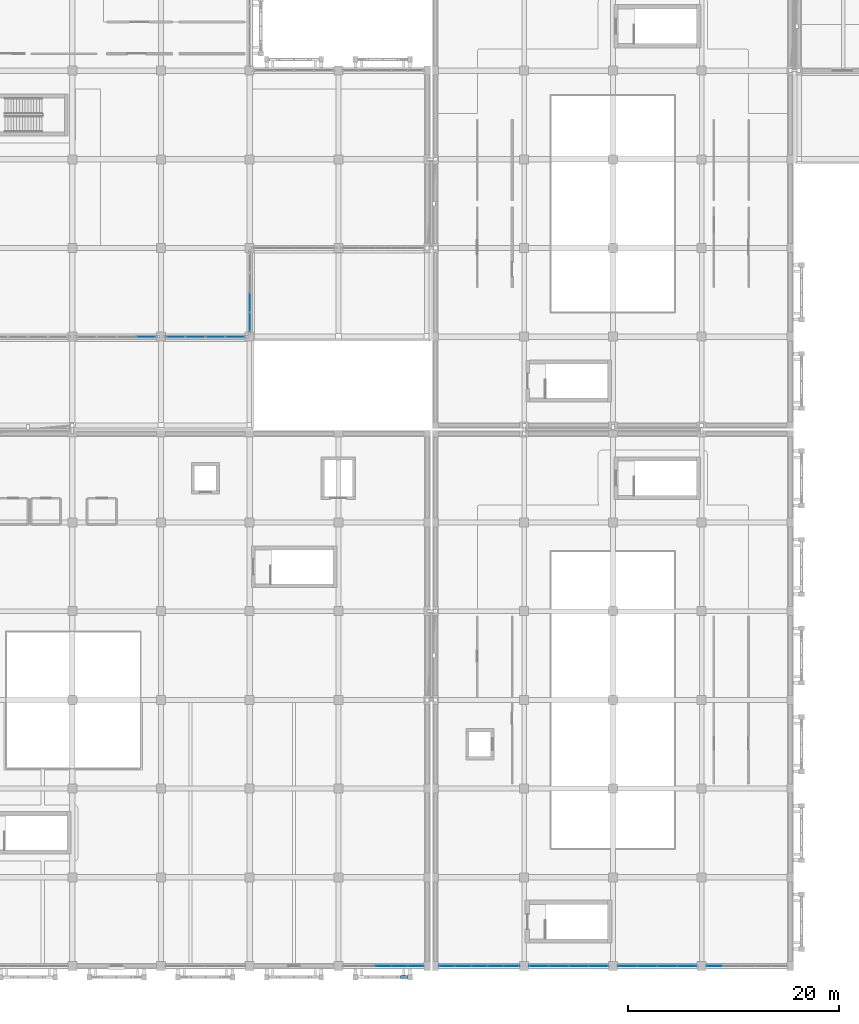
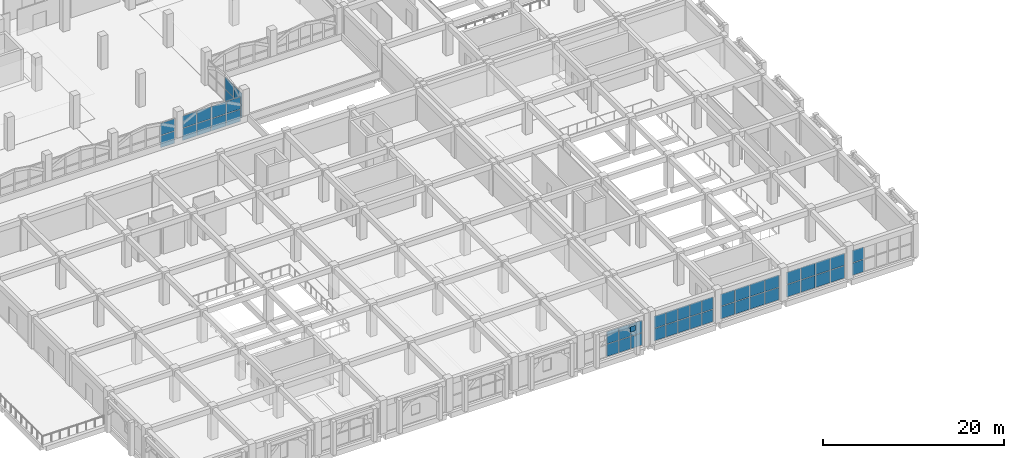
# One storey, part 88 of 129: 49 plates, 8 elements without a shape of their own.
"""IFC4 building model written with IfcOpenShell, lengths in metres."""

import ifcopenshell
import ifcopenshell.guid

model = None  # the IFC model being written
_history = None  # IfcOwnerHistory: only IFC2X3 demands one
_inside = {}  # id of a spatial element -> (the spatial element, [elements in it])
_under = {}  # id of a project, library or spatial element -> (it, [spatial elements below it])
_declared = {}  # id of a project -> (the project, [libraries it declares])
_typed = {}  # id of a type object -> (the type object, [elements of that type])
_made_of = {}  # id of a material, layer set ... -> (it, [elements and type objects made of it])


def new_model(schema):
    """Start an empty IFC model of exactly this schema.

    Asked for "IFC4X3", IfcOpenShell would pick the latest addendum, in which some entities
    have other attributes; the version numbers below select the first issue.
    IFC2X3 requires an IfcOwnerHistory on every rooted entity: one is made here for all.
    """
    global model, _history
    if schema == "IFC4X3":
        model = ifcopenshell.file(schema_version=(4, 3, 0, 0))
    else:
        model = ifcopenshell.file(schema=schema)
    _inside.clear()
    _under.clear()
    _declared.clear()
    _typed.clear()
    _made_of.clear()
    _history = None
    if model.schema == "IFC2X3":
        org = make("IfcOrganization", Name="unknown")
        user = make(
            "IfcPersonAndOrganization",
            ThePerson=make("IfcPerson", FamilyName="unknown"),
            TheOrganization=org,
        )
        app = make(
            "IfcApplication",
            ApplicationDeveloper=org,
            Version="unknown",
            ApplicationFullName="unknown",
            ApplicationIdentifier="unknown",
        )
        _history = make(
            "IfcOwnerHistory",
            OwningUser=user,
            OwningApplication=app,
            ChangeAction="ADDED",
            CreationDate=0,
        )
    return model


def make(cls, **values):
    """One entity of the class cls with the attributes given. An attribute that is None is left unset."""
    return model.create_entity(
        cls, **{name: value for name, value in values.items() if value is not None}
    )


def rooted(cls, **values):
    """An entity with a GlobalId (a new one), such as an element, a storey or a relation."""
    return make(cls, GlobalId=ifcopenshell.guid.new(), OwnerHistory=_history, **values)


def si_unit(unit_type, name, prefix=None):
    """IfcSIUnit, for example si_unit("LENGTHUNIT", "METRE", prefix="MILLI")."""
    return make("IfcSIUnit", UnitType=unit_type, Prefix=prefix, Name=name)


def assignment(units):
    """IfcUnitAssignment: the units of a project."""
    return None if units is None else make("IfcUnitAssignment", Units=units)


def point(xyz):
    """IfcCartesianPoint."""
    return None if xyz is None else make("IfcCartesianPoint", Coordinates=xyz)


def direction(xyz):
    """IfcDirection."""
    return None if xyz is None else make("IfcDirection", DirectionRatios=xyz)


def frame(location, z_axis=None, x_axis=None):
    """IfcAxis2Placement3D, a coordinate frame: its origin and axes. An axis left out is left unset."""
    return make(
        "IfcAxis2Placement3D",
        Location=point(location),
        Axis=direction(z_axis),
        RefDirection=direction(x_axis),
    )


def frame_2d(location, x_axis=None):
    """IfcAxis2Placement2D, a coordinate frame in the plane: its origin and x axis."""
    return make(
        "IfcAxis2Placement2D", Location=point(location), RefDirection=direction(x_axis)
    )


def origin():
    """The frame at (0, 0, 0) with its axes left unset."""
    return frame((0.0, 0.0, 0.0))


def origin_2d():
    """The frame at (0, 0) in the plane with its x axis left unset."""
    return frame_2d((0.0, 0.0))


def place(relative_to, where):
    """IfcLocalPlacement: puts the frame where relative to a parent placement (None: the world)."""
    return make(
        "IfcLocalPlacement", PlacementRelTo=relative_to, RelativePlacement=where
    )


def context(
    kind, dimensions, precision=None, world=None, true_north=None, identifier=None
):
    """IfcGeometricRepresentationContext, for example the 3D "Model" context."""
    return make(
        "IfcGeometricRepresentationContext",
        ContextIdentifier=identifier,
        ContextType=kind,
        CoordinateSpaceDimension=dimensions,
        Precision=precision,
        WorldCoordinateSystem=world,
        TrueNorth=true_north,
    )


def subcontext(parent, identifier, kind, view, scale=None):
    """IfcGeometricRepresentationSubContext, for example "Body" below "Model"."""
    return make(
        "IfcGeometricRepresentationSubContext",
        ContextIdentifier=identifier,
        ContextType=kind,
        ParentContext=parent,
        TargetScale=scale,
        TargetView=view,
    )


def project(units=None, contexts=None):
    """IfcProject with its units and contexts."""
    return rooted(
        "IfcProject",
        Name="project",
        RepresentationContexts=contexts,
        UnitsInContext=assignment(units),
    )


def spatial(cls, under=None, at=None, **own):
    """A site, building, storey or space (cls), placed at a placement, below another one or the project."""
    s = rooted(cls, ObjectPlacement=at, **own)
    if under is not None:
        _under.setdefault(under.id(), (under, []))[1].append(s)
    return s


def profile(cls, at=None, kind="AREA", **sizes):
    """A parametric profile (cls). Its sizes go by their IFC names, for example OverallWidth=200.0."""
    return make(cls, ProfileType=kind, Position=at, **sizes)


def rectangle(**sizes):
    """IfcRectangleProfileDef."""
    return profile("IfcRectangleProfileDef", **sizes)


def extrude(swept, where, along, depth):
    """IfcExtrudedAreaSolid: the profile swept, set in the frame where, extruded along a direction by depth."""
    return make(
        "IfcExtrudedAreaSolid",
        SweptArea=swept,
        Position=where,
        ExtrudedDirection=direction(along),
        Depth=depth,
    )


def shape(context_of_items, identifier, shape_type, items):
    """IfcShapeRepresentation: the items that make up one representation, for example the "Body"."""
    return make(
        "IfcShapeRepresentation",
        ContextOfItems=context_of_items,
        RepresentationIdentifier=identifier,
        RepresentationType=shape_type,
        Items=items,
    )


def material(Name=None, Category=None):
    """IfcMaterial."""
    return make("IfcMaterial", Name=Name, Category=Category)


def layer(
    of_material, thickness, ventilated=None, Name=None, Category=None, Priority=None
):
    """IfcMaterialLayer: one layer of a wall or slab, of a material (None: an air gap)."""
    return make(
        "IfcMaterialLayer",
        Material=of_material,
        LayerThickness=thickness,
        IsVentilated=ventilated,
        Name=Name,
        Category=Category,
        Priority=Priority,
    )


def layer_set(layers, Name=None):
    """IfcMaterialLayerSet."""
    return make("IfcMaterialLayerSet", MaterialLayers=layers, LayerSetName=Name)


def made_of(thing, what):
    """Note that an element or type object is made of a material, layer set ...; save() writes the relation."""
    if what is not None:
        _made_of.setdefault(what.id(), (what, []))[1].append(thing)
    return thing


def type_object(cls, material=None, **own):
    """A type object (cls), such as IfcWallType, which elements share."""
    return made_of(rooted(cls, **own), material)


def element(
    cls,
    number,
    at=None,
    inside=None,
    cuts=None,
    type_object=None,
    material=None,
    context=None,
    identifier="Body",
    shape_type=None,
    held_by="IfcProductDefinitionShape",
    body=None,
    shapes=None,
    **own,
):
    """One element of the class cls, such as IfcWall. Its Tag is "e" and its number.

    at: its placement. inside: the storey or other place that contains it. cuts: it is an
    opening in that element (IfcRelVoidsElement). A single representation is given by context,
    identifier, shape_type and body (its items); several are given by shapes. held_by: the class
    of the entity that holds the representations. save() writes the other relations.
    """
    e = rooted(cls, Tag="e%d" % number, ObjectPlacement=at, **own)
    if body is not None:
        shapes = [shape(context, identifier, shape_type, body)]
    if shapes is not None:
        e.Representation = make(held_by, Representations=shapes)
    if inside is not None:
        _inside.setdefault(inside.id(), (inside, []))[1].append(e)
    if cuts is not None:
        rooted(
            "IfcRelVoidsElement", RelatingBuildingElement=cuts, RelatedOpeningElement=e
        )
    if type_object is not None:
        _typed.setdefault(type_object.id(), (type_object, []))[1].append(e)
    return made_of(e, material)


def aggregate(whole, parts):
    """IfcRelAggregates: a whole, such as a stair, and the parts it consists of."""
    return rooted("IfcRelAggregates", RelatingObject=whole, RelatedObjects=parts)


def save(model, path):
    """Write the relations noted so far, then the file.

    IfcRelAggregates (storeys below a building ...), IfcRelContainedInSpatialStructure (elements
    in a storey), IfcRelDefinesByType, IfcRelAssociatesMaterial and IfcRelDeclares: one each for
    every whole, place, type object, material and project.
    """
    for whole, parts in _under.values():
        aggregate(whole, parts)
    for where, things in _inside.values():
        rooted(
            "IfcRelContainedInSpatialStructure",
            RelatedElements=things,
            RelatingStructure=where,
        )
    for kind, things in _typed.values():
        rooted("IfcRelDefinesByType", RelatedObjects=things, RelatingType=kind)
    for what, things in _made_of.values():
        rooted("IfcRelAssociatesMaterial", RelatedObjects=things, RelatingMaterial=what)
    for by, libraries in _declared.values():
        rooted("IfcRelDeclares", RelatingContext=by, RelatedDefinitions=libraries)
    model.write(path)


model = new_model("IFC4")

# Units and contexts
model_context = context("Model", 3, precision=1e-05, world=origin(), true_north=direction((0.0, 1.0)))
body_context = subcontext(model_context, "Body", "Model", "MODEL_VIEW")
ifc_project = project(units=[si_unit("LENGTHUNIT", "METRE"), si_unit("AREAUNIT", "SQUARE_METRE"), si_unit("VOLUMEUNIT", "CUBIC_METRE"), si_unit("PLANEANGLEUNIT", "RADIAN"), si_unit("MASSUNIT", "GRAM", prefix="KILO")], contexts=[model_context])

# Site, building, storey
site_placement = place(None, origin())
site = spatial("IfcSite", under=ifc_project, at=site_placement, CompositionType="ELEMENT")
building_placement = place(site_placement, origin())
building = spatial("IfcBuilding", under=site, at=building_placement, Name="Xazarin Passage Department Store", CompositionType="ELEMENT")
storey_placement = place(building_placement, frame((0.0, 0.0, 9.89990234375)))
storey = spatial("IfcBuildingStorey", under=building, at=storey_placement, Name="L02", CompositionType="ELEMENT", Elevation=9.89990234375)

# Curtain wall, plates
ifc_material_1 = material(Name="Bronze anodised aluminium", Category="aluminium")
ifc_layer_1 = layer(ifc_material_1, 0.159912109375)
ifc_layer_set_1 = layer_set([ifc_layer_1], Name="Bronze anodised aluminium")
curtain_wall_type_1 = type_object("IfcCurtainWallType", Name="ARC-CW-ARC1", PredefinedType="NOTDEFINED", material=ifc_layer_set_1)
curtain_wall_1_placement = place(storey_placement, origin())
curtain_wall_1 = element("IfcCurtainWall", 1, at=curtain_wall_1_placement, inside=storey, type_object=curtain_wall_type_1, Name="L02 V2S Curtain Wall 104", PredefinedType="NOTDEFINED")
ifc_material_2 = material(Name="Low-E laminated safety glass", Category="glass")
ifc_layer_2 = layer(ifc_material_2, 0.028076171875)
ifc_layer_set_2 = layer_set([ifc_layer_2], Name="Low-E laminated safety glass")
plate_type_1 = type_object("IfcPlateType", Name="ARC-CWP-GLZ28", PredefinedType="CURTAIN_PANEL", material=ifc_layer_set_2)
plate_1_placement = place(storey_placement, frame((69.083740234375, 0.0, 0.065185546875), z_axis=(0.0, 0.0, 1.0), x_axis=(1.0, 0.0, 0.0)))
plate_1 = element("IfcPlate", 2, at=plate_1_placement, type_object=plate_type_1, Name="CW3 panel 1.1", PredefinedType="CURTAIN_PANEL", context=body_context, shape_type="SweptSolid", body=[
    extrude(rectangle(XDim=1.4375, YDim=0.028076171875, at=origin_2d()), origin(), (0.0, 0.0, 1.0), 1.6474609375),
])
plate_2_placement = place(storey_placement, frame((69.083740234375, 0.0, 1.777587890625), z_axis=(0.0, 0.0, 1.0), x_axis=(1.0, 0.0, 0.0)))
plate_2 = element("IfcPlate", 3, at=plate_2_placement, type_object=plate_type_1, Name="CW3 panel 1.2", PredefinedType="CURTAIN_PANEL", context=body_context, shape_type="SweptSolid", body=[
    extrude(rectangle(XDim=1.4375, YDim=0.028076171875, at=origin_2d()), origin(), (0.0, 0.0, 1.0), 1.6474609375),
])
plate_3_placement = place(storey_placement, frame((70.6025390625, 0.0, 0.065185546875), z_axis=(0.0, 0.0, 1.0), x_axis=(1.0, 0.0, 0.0)))
plate_3 = element("IfcPlate", 4, at=plate_3_placement, type_object=plate_type_1, Name="CW3 panel 2.1", PredefinedType="CURTAIN_PANEL", context=body_context, shape_type="SweptSolid", body=[
    extrude(rectangle(XDim=1.469970703125, YDim=0.028076171875, at=origin_2d()), origin(), (0.0, 0.0, 1.0), 1.6474609375),
])
plate_4_placement = place(storey_placement, frame((70.6025390625, 0.0, 1.777587890625), z_axis=(0.0, 0.0, 1.0), x_axis=(1.0, 0.0, 0.0)))
plate_4 = element("IfcPlate", 5, at=plate_4_placement, type_object=plate_type_1, Name="CW3 panel 2.2", PredefinedType="CURTAIN_PANEL", context=body_context, shape_type="SweptSolid", body=[
    extrude(rectangle(XDim=1.469970703125, YDim=0.028076171875, at=origin_2d()), origin(), (0.0, 0.0, 1.0), 1.6474609375),
])
plate_5_placement = place(storey_placement, frame((72.137451171875, 0.0, 0.065185546875), z_axis=(0.0, 0.0, 1.0), x_axis=(1.0, 0.0, 0.0)))
plate_5 = element("IfcPlate", 6, at=plate_5_placement, type_object=plate_type_1, Name="CW3 panel 3.1", PredefinedType="CURTAIN_PANEL", context=body_context, shape_type="SweptSolid", body=[
    extrude(rectangle(XDim=1.469970703125, YDim=0.028076171875, at=origin_2d()), origin(), (0.0, 0.0, 1.0), 1.6474609375),
])
plate_6_placement = place(storey_placement, frame((72.137451171875, 0.0, 1.777587890625), z_axis=(0.0, 0.0, 1.0), x_axis=(1.0, 0.0, 0.0)))
plate_6 = element("IfcPlate", 7, at=plate_6_placement, type_object=plate_type_1, Name="CW3 panel 3.2", PredefinedType="CURTAIN_PANEL", context=body_context, shape_type="SweptSolid", body=[
    extrude(rectangle(XDim=1.469970703125, YDim=0.028076171875, at=origin_2d()), origin(), (0.0, 0.0, 1.0), 1.6474609375),
])
plate_7_placement = place(storey_placement, frame((73.672607421875, 0.0, 0.065185546875), z_axis=(0.0, 0.0, 1.0), x_axis=(1.0, 0.0, 0.0)))
plate_7 = element("IfcPlate", 8, at=plate_7_placement, type_object=plate_type_1, Name="CW3 panel 4.1", PredefinedType="CURTAIN_PANEL", context=body_context, shape_type="SweptSolid", body=[
    extrude(rectangle(XDim=1.469970703125, YDim=0.028076171875, at=origin_2d()), origin(), (0.0, 0.0, 1.0), 1.6474609375),
])
plate_8_placement = place(storey_placement, frame((73.672607421875, 0.0, 1.777587890625), z_axis=(0.0, 0.0, 1.0), x_axis=(1.0, 0.0, 0.0)))
plate_8 = element("IfcPlate", 9, at=plate_8_placement, type_object=plate_type_1, Name="CW3 panel 4.2", PredefinedType="CURTAIN_PANEL", context=body_context, shape_type="SweptSolid", body=[
    extrude(rectangle(XDim=1.469970703125, YDim=0.028076171875, at=origin_2d()), origin(), (0.0, 0.0, 1.0), 1.6474609375),
])
plate_9_placement = place(storey_placement, frame((75.191162109375, 0.0, 0.065185546875), z_axis=(0.0, 0.0, 1.0), x_axis=(1.0, 0.0, 0.0)))
plate_9 = element("IfcPlate", 10, at=plate_9_placement, type_object=plate_type_1, Name="CW3 panel 5.1", PredefinedType="CURTAIN_PANEL", context=body_context, shape_type="SweptSolid", body=[
    extrude(rectangle(XDim=1.4375, YDim=0.028076171875, at=origin_2d()), origin(), (0.0, 0.0, 1.0), 1.6474609375),
])
plate_10_placement = place(storey_placement, frame((75.191162109375, 0.0, 1.777587890625), z_axis=(0.0, 0.0, 1.0), x_axis=(1.0, 0.0, 0.0)))
plate_10 = element("IfcPlate", 11, at=plate_10_placement, type_object=plate_type_1, Name="CW3 panel 5.2", PredefinedType="CURTAIN_PANEL", context=body_context, shape_type="SweptSolid", body=[
    extrude(rectangle(XDim=1.4375, YDim=0.028076171875, at=origin_2d()), origin(), (0.0, 0.0, 1.0), 1.6474609375),
])
aggregate(curtain_wall_1, [plate_1, plate_2, plate_3, plate_4, plate_5, plate_6, plate_7, plate_8, plate_9, plate_10])

curtain_wall_2_placement = place(storey_placement, origin())
curtain_wall_2 = element("IfcCurtainWall", 12, at=curtain_wall_2_placement, inside=storey, type_object=curtain_wall_type_1, Name="L02 V2S Curtain Wall 105", PredefinedType="NOTDEFINED")
plate_11_placement = place(storey_placement, frame((77.784912109375, 0.0, 0.065185546875), z_axis=(0.0, 0.0, 1.0), x_axis=(1.0, 0.0, 0.0)))
plate_11 = element("IfcPlate", 13, at=plate_11_placement, type_object=plate_type_1, Name="CW3 panel 1.1", PredefinedType="CURTAIN_PANEL", context=body_context, shape_type="SweptSolid", body=[
    extrude(rectangle(XDim=1.7900390625, YDim=0.028076171875, at=origin_2d()), origin(), (0.0, 0.0, 1.0), 1.6474609375),
])
plate_12_placement = place(storey_placement, frame((77.784912109375, 0.0, 1.777587890625), z_axis=(0.0, 0.0, 1.0), x_axis=(1.0, 0.0, 0.0)))
plate_12 = element("IfcPlate", 14, at=plate_12_placement, type_object=plate_type_1, Name="CW3 panel 1.2", PredefinedType="CURTAIN_PANEL", context=body_context, shape_type="SweptSolid", body=[
    extrude(rectangle(XDim=1.7900390625, YDim=0.028076171875, at=origin_2d()), origin(), (0.0, 0.0, 1.0), 1.6474609375),
])
plate_13_placement = place(storey_placement, frame((79.65625, 0.0, 0.065185546875), z_axis=(0.0, 0.0, 1.0), x_axis=(1.0, 0.0, 0.0)))
plate_13 = element("IfcPlate", 15, at=plate_13_placement, type_object=plate_type_1, Name="CW3 panel 2.1", PredefinedType="CURTAIN_PANEL", context=body_context, shape_type="SweptSolid", body=[
    extrude(rectangle(XDim=1.822509765625, YDim=0.028076171875, at=origin_2d()), origin(), (0.0, 0.0, 1.0), 1.6474609375),
])
plate_14_placement = place(storey_placement, frame((79.65625, 0.0, 1.777587890625), z_axis=(0.0, 0.0, 1.0), x_axis=(1.0, 0.0, 0.0)))
plate_14 = element("IfcPlate", 16, at=plate_14_placement, type_object=plate_type_1, Name="CW3 panel 2.2", PredefinedType="CURTAIN_PANEL", context=body_context, shape_type="SweptSolid", body=[
    extrude(rectangle(XDim=1.822509765625, YDim=0.028076171875, at=origin_2d()), origin(), (0.0, 0.0, 1.0), 1.6474609375),
])
plate_15_placement = place(storey_placement, frame((81.543701171875, 0.0, 0.065185546875), z_axis=(0.0, 0.0, 1.0), x_axis=(1.0, 0.0, 0.0)))
plate_15 = element("IfcPlate", 17, at=plate_15_placement, type_object=plate_type_1, Name="CW3 panel 3.1", PredefinedType="CURTAIN_PANEL", context=body_context, shape_type="SweptSolid", body=[
    extrude(rectangle(XDim=1.822509765625, YDim=0.028076171875, at=origin_2d()), origin(), (0.0, 0.0, 1.0), 1.6474609375),
])
plate_16_placement = place(storey_placement, frame((81.543701171875, 0.0, 1.777587890625), z_axis=(0.0, 0.0, 1.0), x_axis=(1.0, 0.0, 0.0)))
plate_16 = element("IfcPlate", 18, at=plate_16_placement, type_object=plate_type_1, Name="CW3 panel 3.2", PredefinedType="CURTAIN_PANEL", context=body_context, shape_type="SweptSolid", body=[
    extrude(rectangle(XDim=1.822509765625, YDim=0.028076171875, at=origin_2d()), origin(), (0.0, 0.0, 1.0), 1.6474609375),
])
plate_17_placement = place(storey_placement, frame((83.4150390625, 0.0, 0.065185546875), z_axis=(0.0, 0.0, 1.0), x_axis=(1.0, 0.0, 0.0)))
plate_17 = element("IfcPlate", 19, at=plate_17_placement, type_object=plate_type_1, Name="CW3 panel 4.1", PredefinedType="CURTAIN_PANEL", context=body_context, shape_type="SweptSolid", body=[
    extrude(rectangle(XDim=1.7900390625, YDim=0.028076171875, at=origin_2d()), origin(), (0.0, 0.0, 1.0), 1.6474609375),
])
plate_18_placement = place(storey_placement, frame((83.4150390625, 0.0, 1.777587890625), z_axis=(0.0, 0.0, 1.0), x_axis=(1.0, 0.0, 0.0)))
plate_18 = element("IfcPlate", 20, at=plate_18_placement, type_object=plate_type_1, Name="CW3 panel 4.2", PredefinedType="CURTAIN_PANEL", context=body_context, shape_type="SweptSolid", body=[
    extrude(rectangle(XDim=1.7900390625, YDim=0.028076171875, at=origin_2d()), origin(), (0.0, 0.0, 1.0), 1.6474609375),
])
aggregate(curtain_wall_2, [plate_11, plate_12, plate_13, plate_14, plate_15, plate_16, plate_17, plate_18])

curtain_wall_3_placement = place(storey_placement, origin())
curtain_wall_3 = element("IfcCurtainWall", 21, at=curtain_wall_3_placement, inside=storey, type_object=curtain_wall_type_1, Name="L02 V2S Curtain Wall 106", PredefinedType="NOTDEFINED")
plate_19_placement = place(storey_placement, frame((86.18505859375, 0.0, 0.065185546875), z_axis=(0.0, 0.0, 1.0), x_axis=(1.0, 0.0, 0.0)))
plate_19 = element("IfcPlate", 22, at=plate_19_placement, type_object=plate_type_1, Name="CW3 panel 1.1", PredefinedType="CURTAIN_PANEL", context=body_context, shape_type="SweptSolid", body=[
    extrude(rectangle(XDim=1.7900390625, YDim=0.028076171875, at=origin_2d()), origin(), (0.0, 0.0, 1.0), 1.6474609375),
])
plate_20_placement = place(storey_placement, frame((86.18505859375, 0.0, 1.777587890625), z_axis=(0.0, 0.0, 1.0), x_axis=(1.0, 0.0, 0.0)))
plate_20 = element("IfcPlate", 23, at=plate_20_placement, type_object=plate_type_1, Name="CW3 panel 1.2", PredefinedType="CURTAIN_PANEL", context=body_context, shape_type="SweptSolid", body=[
    extrude(rectangle(XDim=1.7900390625, YDim=0.028076171875, at=origin_2d()), origin(), (0.0, 0.0, 1.0), 1.6474609375),
])
plate_21_placement = place(storey_placement, frame((88.05615234375, 0.0, 0.065185546875), z_axis=(0.0, 0.0, 1.0), x_axis=(1.0, 0.0, 0.0)))
plate_21 = element("IfcPlate", 24, at=plate_21_placement, type_object=plate_type_1, Name="CW3 panel 2.1", PredefinedType="CURTAIN_PANEL", context=body_context, shape_type="SweptSolid", body=[
    extrude(rectangle(XDim=1.822509765625, YDim=0.028076171875, at=origin_2d()), origin(), (0.0, 0.0, 1.0), 1.6474609375),
])
plate_22_placement = place(storey_placement, frame((88.05615234375, 0.0, 1.777587890625), z_axis=(0.0, 0.0, 1.0), x_axis=(1.0, 0.0, 0.0)))
plate_22 = element("IfcPlate", 25, at=plate_22_placement, type_object=plate_type_1, Name="CW3 panel 2.2", PredefinedType="CURTAIN_PANEL", context=body_context, shape_type="SweptSolid", body=[
    extrude(rectangle(XDim=1.822509765625, YDim=0.028076171875, at=origin_2d()), origin(), (0.0, 0.0, 1.0), 1.6474609375),
])
plate_23_placement = place(storey_placement, frame((89.94384765625, 0.0, 0.065185546875), z_axis=(0.0, 0.0, 1.0), x_axis=(1.0, 0.0, 0.0)))
plate_23 = element("IfcPlate", 26, at=plate_23_placement, type_object=plate_type_1, Name="CW3 panel 3.1", PredefinedType="CURTAIN_PANEL", context=body_context, shape_type="SweptSolid", body=[
    extrude(rectangle(XDim=1.822509765625, YDim=0.028076171875, at=origin_2d()), origin(), (0.0, 0.0, 1.0), 1.6474609375),
])
plate_24_placement = place(storey_placement, frame((89.94384765625, 0.0, 1.777587890625), z_axis=(0.0, 0.0, 1.0), x_axis=(1.0, 0.0, 0.0)))
plate_24 = element("IfcPlate", 27, at=plate_24_placement, type_object=plate_type_1, Name="CW3 panel 3.2", PredefinedType="CURTAIN_PANEL", context=body_context, shape_type="SweptSolid", body=[
    extrude(rectangle(XDim=1.822509765625, YDim=0.028076171875, at=origin_2d()), origin(), (0.0, 0.0, 1.0), 1.6474609375),
])
plate_25_placement = place(storey_placement, frame((91.81494140625, 0.0, 0.065185546875), z_axis=(0.0, 0.0, 1.0), x_axis=(1.0, 0.0, 0.0)))
plate_25 = element("IfcPlate", 28, at=plate_25_placement, type_object=plate_type_1, Name="CW3 panel 4.1", PredefinedType="CURTAIN_PANEL", context=body_context, shape_type="SweptSolid", body=[
    extrude(rectangle(XDim=1.7900390625, YDim=0.028076171875, at=origin_2d()), origin(), (0.0, 0.0, 1.0), 1.6474609375),
])
plate_26_placement = place(storey_placement, frame((91.81494140625, 0.0, 1.777587890625), z_axis=(0.0, 0.0, 1.0), x_axis=(1.0, 0.0, 0.0)))
plate_26 = element("IfcPlate", 29, at=plate_26_placement, type_object=plate_type_1, Name="CW3 panel 4.2", PredefinedType="CURTAIN_PANEL", context=body_context, shape_type="SweptSolid", body=[
    extrude(rectangle(XDim=1.7900390625, YDim=0.028076171875, at=origin_2d()), origin(), (0.0, 0.0, 1.0), 1.6474609375),
])
aggregate(curtain_wall_3, [plate_19, plate_20, plate_21, plate_22, plate_23, plate_24, plate_25, plate_26])

curtain_wall_4_placement = place(storey_placement, origin())
curtain_wall_4 = element("IfcCurtainWall", 30, at=curtain_wall_4_placement, inside=storey, type_object=curtain_wall_type_1, Name="L02 V2S Curtain Wall 107", PredefinedType="NOTDEFINED")
plate_27_placement = place(storey_placement, frame((94.40869140625, 0.0, 0.065185546875), z_axis=(0.0, 0.0, 1.0), x_axis=(1.0, 0.0, 0.0)))
plate_27 = element("IfcPlate", 31, at=plate_27_placement, type_object=plate_type_1, Name="CW3 panel 1.1", PredefinedType="CURTAIN_PANEL", context=body_context, shape_type="SweptSolid", body=[
    extrude(rectangle(XDim=1.4375, YDim=0.028076171875, at=origin_2d()), origin(), (0.0, 0.0, 1.0), 1.6474609375),
])
plate_28_placement = place(storey_placement, frame((94.40869140625, 0.0, 1.777587890625), z_axis=(0.0, 0.0, 1.0), x_axis=(1.0, 0.0, 0.0)))
plate_28 = element("IfcPlate", 32, at=plate_28_placement, type_object=plate_type_1, Name="CW3 panel 1.2", PredefinedType="CURTAIN_PANEL", context=body_context, shape_type="SweptSolid", body=[
    extrude(rectangle(XDim=1.4375, YDim=0.028076171875, at=origin_2d()), origin(), (0.0, 0.0, 1.0), 1.6474609375),
])
aggregate(curtain_wall_4, [plate_27, plate_28])

ifc_layer_3 = layer(ifc_material_1, 0.18994140625)
ifc_layer_set_3 = layer_set([ifc_layer_3], Name="Bronze anodised aluminium")
curtain_wall_type_2 = type_object("IfcCurtainWallType", Name="ARC-CW-FDH1", PredefinedType="NOTDEFINED", material=ifc_layer_set_3)
curtain_wall_5_placement = place(storey_placement, origin())
curtain_wall_5 = element("IfcCurtainWall", 33, at=curtain_wall_5_placement, inside=storey, type_object=curtain_wall_type_2, Name="L02 V3 Curtain Wall 133", PredefinedType="NOTDEFINED")
plate_29_placement = place(storey_placement, frame((63.0625, 0.0, 0.065185546875), z_axis=(0.0, 0.0, 1.0), x_axis=(1.0, 0.0, 0.0)))
plate_29 = element("IfcPlate", 34, at=plate_29_placement, type_object=plate_type_1, Name="CW5 panel 3.1", PredefinedType="CURTAIN_PANEL", context=body_context, shape_type="SweptSolid", body=[
    extrude(rectangle(XDim=1.469970703125, YDim=0.028076171875, at=origin_2d()), origin(), (0.0, 0.0, 1.0), 1.6474609375),
])
plate_30_placement = place(storey_placement, frame((63.0625, 0.0, 1.777587890625), z_axis=(0.0, 0.0, 1.0), x_axis=(1.0, 0.0, 0.0)))
plate_30 = element("IfcPlate", 35, at=plate_30_placement, type_object=plate_type_1, Name="CW5 panel 3.2", PredefinedType="CURTAIN_PANEL", context=body_context, shape_type="SweptSolid", body=[
    extrude(rectangle(XDim=1.469970703125, YDim=0.028076171875, at=origin_2d()), origin(), (0.0, 0.0, 1.0), 1.6474609375),
])
plate_31_placement = place(storey_placement, frame((64.597412109375, 0.0, 0.065185546875), z_axis=(0.0, 0.0, 1.0), x_axis=(1.0, 0.0, 0.0)))
plate_31 = element("IfcPlate", 36, at=plate_31_placement, type_object=plate_type_1, Name="CW5 panel 4.1", PredefinedType="CURTAIN_PANEL", context=body_context, shape_type="SweptSolid", body=[
    extrude(rectangle(XDim=1.469970703125, YDim=0.028076171875, at=origin_2d()), origin(), (0.0, 0.0, 1.0), 1.6474609375),
])
plate_32_placement = place(storey_placement, frame((64.597412109375, 0.0, 1.777587890625), z_axis=(0.0, 0.0, 1.0), x_axis=(1.0, 0.0, 0.0)))
plate_32 = element("IfcPlate", 37, at=plate_32_placement, type_object=plate_type_1, Name="CW5 panel 4.2", PredefinedType="CURTAIN_PANEL", context=body_context, shape_type="SweptSolid", body=[
    extrude(rectangle(XDim=1.469970703125, YDim=0.028076171875, at=origin_2d()), origin(), (0.0, 0.0, 1.0), 1.6474609375),
])
plate_33_placement = place(storey_placement, frame((66.1162109375, 0.0, 0.065185546875), z_axis=(0.0, 0.0, 1.0), x_axis=(1.0, 0.0, 0.0)))
plate_33 = element("IfcPlate", 38, at=plate_33_placement, type_object=plate_type_1, Name="CW5 panel 5.1", PredefinedType="CURTAIN_PANEL", context=body_context, shape_type="SweptSolid", body=[
    extrude(rectangle(XDim=1.4375, YDim=0.028076171875, at=origin_2d()), origin(), (0.0, 0.0, 1.0), 1.6474609375),
])
plate_34_placement = place(storey_placement, frame((66.1162109375, 0.0, 1.777587890625), z_axis=(0.0, 0.0, 1.0), x_axis=(1.0, 0.0, 0.0)))
plate_34 = element("IfcPlate", 39, at=plate_34_placement, type_object=plate_type_1, Name="CW5 panel 5.2", PredefinedType="CURTAIN_PANEL", context=body_context, shape_type="SweptSolid", body=[
    extrude(rectangle(XDim=1.4375, YDim=0.028076171875, at=origin_2d()), origin(), (0.0, 0.0, 1.0), 1.6474609375),
])
aggregate(curtain_wall_5, [plate_29, plate_30, plate_31, plate_32, plate_33, plate_34])

ifc_layer_4 = layer(ifc_material_1, 0.199951171875)
ifc_layer_set_4 = layer_set([ifc_layer_4], Name="Bronze anodised aluminium")
curtain_wall_type_3 = type_object("IfcCurtainWallType", Name="ARC-CW-VIT2", PredefinedType="NOTDEFINED", material=ifc_layer_set_4)
curtain_wall_6_placement = place(storey_placement, origin())
curtain_wall_6 = element("IfcCurtainWall", 40, at=curtain_wall_6_placement, inside=storey, type_object=curtain_wall_type_3, Name="L02 V1 Curtain Wall 033", PredefinedType="NOTDEFINED")
ifc_layer_5 = layer(ifc_material_2, 0.031982421875)
ifc_layer_set_5 = layer_set([ifc_layer_5], Name="Low-E laminated safety glass")
plate_type_2 = type_object("IfcPlateType", Name="ARC-CWP-GLZ32", PredefinedType="CURTAIN_PANEL", material=ifc_layer_set_5)
plate_35_placement = place(storey_placement, frame((40.612548828125, 59.60009765625, 0.0751953125), z_axis=(0.0, 0.0, 1.0), x_axis=(1.0, 0.0, 0.0)))
plate_35 = element("IfcPlate", 41, at=plate_35_placement, type_object=plate_type_2, Name="CW2 panel 4.1", PredefinedType="CURTAIN_PANEL", context=body_context, shape_type="SweptSolid", body=[
    extrude(rectangle(XDim=1.77490234375, YDim=0.031982421875, at=origin_2d()), origin(), (0.0, 0.0, 1.0), 1.612548828125),
])
plate_36_placement = place(storey_placement, frame((40.612548828125, 59.60009765625, 1.7626953125), z_axis=(0.0, 0.0, 1.0), x_axis=(1.0, 0.0, 0.0)))
plate_36 = element("IfcPlate", 42, at=plate_36_placement, type_object=plate_type_2, Name="CW2 panel 4.2", PredefinedType="CURTAIN_PANEL", context=body_context, shape_type="SweptSolid", body=[
    extrude(rectangle(XDim=1.77490234375, YDim=0.031982421875, at=origin_2d()), origin(), (0.0, 0.0, 1.0), 1.612548828125),
])
aggregate(curtain_wall_6, [plate_35, plate_36])

curtain_wall_7_placement = place(storey_placement, origin())
curtain_wall_7 = element("IfcCurtainWall", 43, at=curtain_wall_7_placement, inside=storey, type_object=curtain_wall_type_3, Name="L02 V1 Curtain Wall 034", PredefinedType="NOTDEFINED")
plate_37_placement = place(storey_placement, frame((43.387451171875, 59.60009765625, 0.0751953125), z_axis=(0.0, 0.0, 1.0), x_axis=(1.0, 0.0, 0.0)))
plate_37 = element("IfcPlate", 44, at=plate_37_placement, type_object=plate_type_2, Name="CW2 panel 1.1", PredefinedType="CURTAIN_PANEL", context=body_context, shape_type="SweptSolid", body=[
    extrude(rectangle(XDim=1.77490234375, YDim=0.031982421875, at=origin_2d()), origin(), (0.0, 0.0, 1.0), 1.612548828125),
])
plate_38_placement = place(storey_placement, frame((43.387451171875, 59.60009765625, 1.7626953125), z_axis=(0.0, 0.0, 1.0), x_axis=(1.0, 0.0, 0.0)))
plate_38 = element("IfcPlate", 45, at=plate_38_placement, type_object=plate_type_2, Name="CW2 panel 1.2", PredefinedType="CURTAIN_PANEL", context=body_context, shape_type="SweptSolid", body=[
    extrude(rectangle(XDim=1.77490234375, YDim=0.031982421875, at=origin_2d()), origin(), (0.0, 0.0, 1.0), 1.612548828125),
])
plate_39_placement = place(storey_placement, frame((45.25634765625, 59.60009765625, 0.0751953125), z_axis=(0.0, 0.0, 1.0), x_axis=(1.0, 0.0, 0.0)))
plate_39 = element("IfcPlate", 46, at=plate_39_placement, type_object=plate_type_2, Name="CW2 panel 2.1", PredefinedType="CURTAIN_PANEL", context=body_context, shape_type="SweptSolid", body=[
    extrude(rectangle(XDim=1.8125, YDim=0.031982421875, at=origin_2d()), origin(), (0.0, 0.0, 1.0), 1.612548828125),
])
plate_40_placement = place(storey_placement, frame((45.25634765625, 59.60009765625, 1.7626953125), z_axis=(0.0, 0.0, 1.0), x_axis=(1.0, 0.0, 0.0)))
plate_40 = element("IfcPlate", 47, at=plate_40_placement, type_object=plate_type_2, Name="CW2 panel 2.2", PredefinedType="CURTAIN_PANEL", context=body_context, shape_type="SweptSolid", body=[
    extrude(rectangle(XDim=1.8125, YDim=0.031982421875, at=origin_2d()), origin(), (0.0, 0.0, 1.0), 1.612548828125),
])
plate_41_placement = place(storey_placement, frame((47.143798828125, 59.60009765625, 0.0751953125), z_axis=(0.0, 0.0, 1.0), x_axis=(1.0, 0.0, 0.0)))
plate_41 = element("IfcPlate", 48, at=plate_41_placement, type_object=plate_type_2, Name="CW2 panel 3.1", PredefinedType="CURTAIN_PANEL", context=body_context, shape_type="SweptSolid", body=[
    extrude(rectangle(XDim=1.8125, YDim=0.031982421875, at=origin_2d()), origin(), (0.0, 0.0, 1.0), 1.612548828125),
])
plate_42_placement = place(storey_placement, frame((47.143798828125, 59.60009765625, 1.7626953125), z_axis=(0.0, 0.0, 1.0), x_axis=(1.0, 0.0, 0.0)))
plate_42 = element("IfcPlate", 49, at=plate_42_placement, type_object=plate_type_2, Name="CW2 panel 3.2", PredefinedType="CURTAIN_PANEL", context=body_context, shape_type="SweptSolid", body=[
    extrude(rectangle(XDim=1.8125, YDim=0.031982421875, at=origin_2d()), origin(), (0.0, 0.0, 1.0), 1.612548828125),
])
plate_43_placement = place(storey_placement, frame((49.012451171875, 59.60009765625, 0.0751953125), z_axis=(0.0, 0.0, 1.0), x_axis=(1.0, 0.0, 0.0)))
plate_43 = element("IfcPlate", 50, at=plate_43_placement, type_object=plate_type_2, Name="CW2 panel 4.1", PredefinedType="CURTAIN_PANEL", context=body_context, shape_type="SweptSolid", body=[
    extrude(rectangle(XDim=1.77490234375, YDim=0.031982421875, at=origin_2d()), origin(), (0.0, 0.0, 1.0), 1.612548828125),
])
plate_44_placement = place(storey_placement, frame((49.012451171875, 59.60009765625, 1.7626953125), z_axis=(0.0, 0.0, 1.0), x_axis=(1.0, 0.0, 0.0)))
plate_44 = element("IfcPlate", 51, at=plate_44_placement, type_object=plate_type_2, Name="CW2 panel 4.2", PredefinedType="CURTAIN_PANEL", context=body_context, shape_type="SweptSolid", body=[
    extrude(rectangle(XDim=1.77490234375, YDim=0.031982421875, at=origin_2d()), origin(), (0.0, 0.0, 1.0), 1.612548828125),
])
aggregate(curtain_wall_7, [plate_37, plate_38, plate_39, plate_40, plate_41, plate_42, plate_43, plate_44])

curtain_wall_8_placement = place(storey_placement, origin())
curtain_wall_8 = element("IfcCurtainWall", 52, at=curtain_wall_8_placement, inside=storey, type_object=curtain_wall_type_3, Name="L02 V1 Curtain Wall 051", PredefinedType="NOTDEFINED")
plate_45_placement = place(storey_placement, frame((50.39990234375, 60.987548828125, 0.0751953125), z_axis=(0.0, 0.0, 1.0), x_axis=(0.0, 1.0, 0.0)))
plate_45 = element("IfcPlate", 53, at=plate_45_placement, type_object=plate_type_2, Name="CW2 panel 1.1", PredefinedType="CURTAIN_PANEL", context=body_context, shape_type="SweptSolid", body=[
    extrude(rectangle(XDim=1.77490234375, YDim=0.031982421875, at=origin_2d()), origin(), (0.0, 0.0, 1.0), 1.612548828125),
])
plate_46_placement = place(storey_placement, frame((50.39990234375, 60.987548828125, 1.7626953125), z_axis=(0.0, 0.0, 1.0), x_axis=(0.0, 1.0, 0.0)))
plate_46 = element("IfcPlate", 54, at=plate_46_placement, type_object=plate_type_2, Name="CW2 panel 1.2", PredefinedType="CURTAIN_PANEL", context=body_context, shape_type="SweptSolid", body=[
    extrude(rectangle(XDim=1.77490234375, YDim=0.031982421875, at=origin_2d()), origin(), (0.0, 0.0, 1.0), 1.612548828125),
])
plate_47_placement = place(storey_placement, frame((50.39990234375, 62.856201171875, 0.0751953125), z_axis=(0.0, 0.0, 1.0), x_axis=(0.0, 1.0, 0.0)))
plate_47 = element("IfcPlate", 55, at=plate_47_placement, type_object=plate_type_2, Name="CW2 panel 2.1", PredefinedType="CURTAIN_PANEL", context=body_context, shape_type="SweptSolid", body=[
    extrude(rectangle(XDim=1.8125, YDim=0.031982421875, at=origin_2d()), origin(), (0.0, 0.0, 1.0), 1.612548828125),
])
plate_48_placement = place(storey_placement, frame((50.39990234375, 62.856201171875, 1.7626953125), z_axis=(0.0, 0.0, 1.0), x_axis=(0.0, 1.0, 0.0)))
plate_48 = element("IfcPlate", 56, at=plate_48_placement, type_object=plate_type_2, Name="CW2 panel 2.2", PredefinedType="CURTAIN_PANEL", context=body_context, shape_type="SweptSolid", body=[
    extrude(rectangle(XDim=1.8125, YDim=0.031982421875, at=origin_2d()), origin(), (0.0, 0.0, 1.0), 1.612548828125),
])
aggregate(curtain_wall_8, [plate_45, plate_46, plate_47, plate_48])

# Plate
ifc_material_3 = material(Name="Precast concrete C40/50", Category="concrete")
ifc_layer_6 = layer(ifc_material_3, 0.260009765625)
ifc_layer_set_6 = layer_set([ifc_layer_6], Name="Precast concrete C40/50")
plate_type_3 = type_object("IfcPlateType", Name="ARC-PLT-SCR-19", PredefinedType="USERDEFINED", material=ifc_layer_set_6)
plate_49_placement = place(storey_placement, frame((65.0, -1.050048828125, 3.26025390625), z_axis=(0.0, 0.0, 1.0), x_axis=(1.0, 0.0, 0.0)))
element("IfcPlate", 57, at=plate_49_placement, inside=storey, type_object=plate_type_3, Name="L02 V3 Arch Spandrel Tympanum 0260", ObjectType="SCREEN PANEL", PredefinedType="USERDEFINED", context=body_context, shape_type="SweptSolid", body=[
    extrude(rectangle(XDim=0.679931640625, YDim=0.260009765625, at=origin_2d()), origin(), (0.0, 0.0, 1.0), 0.719970703125),
])

save(model, "model.ifc")
